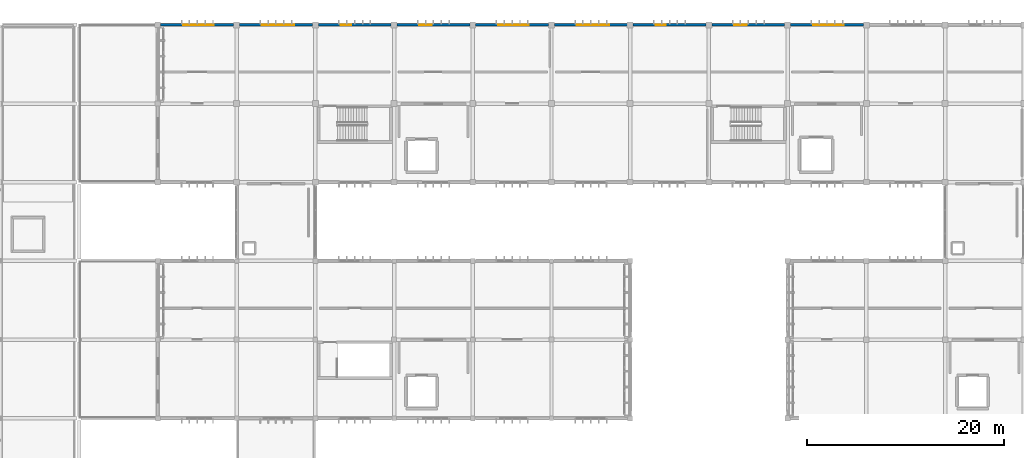
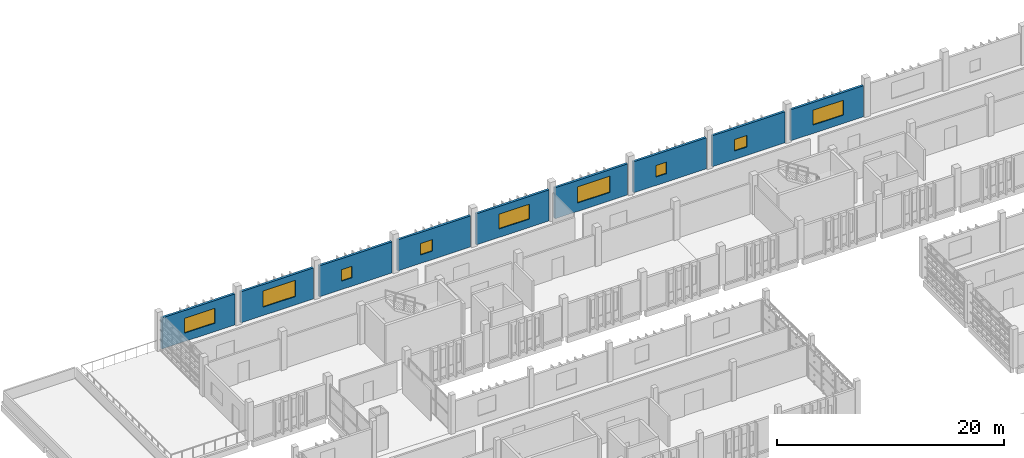
# One storey, part 35 of 48: 9 walls, 9 windows, 9 openings.
"""IFC4 building model written with IfcOpenShell, lengths in metres."""

import ifcopenshell
import ifcopenshell.guid

model = None  # the IFC model being written
_history = None  # IfcOwnerHistory: only IFC2X3 demands one
_inside = {}  # id of a spatial element -> (the spatial element, [elements in it])
_under = {}  # id of a project, library or spatial element -> (it, [spatial elements below it])
_declared = {}  # id of a project -> (the project, [libraries it declares])
_typed = {}  # id of a type object -> (the type object, [elements of that type])
_made_of = {}  # id of a material, layer set ... -> (it, [elements and type objects made of it])


def new_model(schema):
    """Start an empty IFC model of exactly this schema.

    Asked for "IFC4X3", IfcOpenShell would pick the latest addendum, in which some entities
    have other attributes; the version numbers below select the first issue.
    IFC2X3 requires an IfcOwnerHistory on every rooted entity: one is made here for all.
    """
    global model, _history
    if schema == "IFC4X3":
        model = ifcopenshell.file(schema_version=(4, 3, 0, 0))
    else:
        model = ifcopenshell.file(schema=schema)
    _inside.clear()
    _under.clear()
    _declared.clear()
    _typed.clear()
    _made_of.clear()
    _history = None
    if model.schema == "IFC2X3":
        org = make("IfcOrganization", Name="unknown")
        user = make(
            "IfcPersonAndOrganization",
            ThePerson=make("IfcPerson", FamilyName="unknown"),
            TheOrganization=org,
        )
        app = make(
            "IfcApplication",
            ApplicationDeveloper=org,
            Version="unknown",
            ApplicationFullName="unknown",
            ApplicationIdentifier="unknown",
        )
        _history = make(
            "IfcOwnerHistory",
            OwningUser=user,
            OwningApplication=app,
            ChangeAction="ADDED",
            CreationDate=0,
        )
    return model


def make(cls, **values):
    """One entity of the class cls with the attributes given. An attribute that is None is left unset."""
    return model.create_entity(
        cls, **{name: value for name, value in values.items() if value is not None}
    )


def rooted(cls, **values):
    """An entity with a GlobalId (a new one), such as an element, a storey or a relation."""
    return make(cls, GlobalId=ifcopenshell.guid.new(), OwnerHistory=_history, **values)


def si_unit(unit_type, name, prefix=None):
    """IfcSIUnit, for example si_unit("LENGTHUNIT", "METRE", prefix="MILLI")."""
    return make("IfcSIUnit", UnitType=unit_type, Prefix=prefix, Name=name)


def assignment(units):
    """IfcUnitAssignment: the units of a project."""
    return None if units is None else make("IfcUnitAssignment", Units=units)


def point(xyz):
    """IfcCartesianPoint."""
    return None if xyz is None else make("IfcCartesianPoint", Coordinates=xyz)


def direction(xyz):
    """IfcDirection."""
    return None if xyz is None else make("IfcDirection", DirectionRatios=xyz)


def frame(location, z_axis=None, x_axis=None):
    """IfcAxis2Placement3D, a coordinate frame: its origin and axes. An axis left out is left unset."""
    return make(
        "IfcAxis2Placement3D",
        Location=point(location),
        Axis=direction(z_axis),
        RefDirection=direction(x_axis),
    )


def frame_2d(location, x_axis=None):
    """IfcAxis2Placement2D, a coordinate frame in the plane: its origin and x axis."""
    return make(
        "IfcAxis2Placement2D", Location=point(location), RefDirection=direction(x_axis)
    )


def origin():
    """The frame at (0, 0, 0) with its axes left unset."""
    return frame((0.0, 0.0, 0.0))


def place(relative_to, where):
    """IfcLocalPlacement: puts the frame where relative to a parent placement (None: the world)."""
    return make(
        "IfcLocalPlacement", PlacementRelTo=relative_to, RelativePlacement=where
    )


def context(
    kind, dimensions, precision=None, world=None, true_north=None, identifier=None
):
    """IfcGeometricRepresentationContext, for example the 3D "Model" context."""
    return make(
        "IfcGeometricRepresentationContext",
        ContextIdentifier=identifier,
        ContextType=kind,
        CoordinateSpaceDimension=dimensions,
        Precision=precision,
        WorldCoordinateSystem=world,
        TrueNorth=true_north,
    )


def subcontext(parent, identifier, kind, view, scale=None):
    """IfcGeometricRepresentationSubContext, for example "Body" below "Model"."""
    return make(
        "IfcGeometricRepresentationSubContext",
        ContextIdentifier=identifier,
        ContextType=kind,
        ParentContext=parent,
        TargetScale=scale,
        TargetView=view,
    )


def project(units=None, contexts=None):
    """IfcProject with its units and contexts."""
    return rooted(
        "IfcProject",
        Name="project",
        RepresentationContexts=contexts,
        UnitsInContext=assignment(units),
    )


def spatial(cls, under=None, at=None, **own):
    """A site, building, storey or space (cls), placed at a placement, below another one or the project."""
    s = rooted(cls, ObjectPlacement=at, **own)
    if under is not None:
        _under.setdefault(under.id(), (under, []))[1].append(s)
    return s


def profile(cls, at=None, kind="AREA", **sizes):
    """A parametric profile (cls). Its sizes go by their IFC names, for example OverallWidth=200.0."""
    return make(cls, ProfileType=kind, Position=at, **sizes)


def rectangle(**sizes):
    """IfcRectangleProfileDef."""
    return profile("IfcRectangleProfileDef", **sizes)


def extrude(swept, where, along, depth):
    """IfcExtrudedAreaSolid: the profile swept, set in the frame where, extruded along a direction by depth."""
    return make(
        "IfcExtrudedAreaSolid",
        SweptArea=swept,
        Position=where,
        ExtrudedDirection=direction(along),
        Depth=depth,
    )


def shape(context_of_items, identifier, shape_type, items):
    """IfcShapeRepresentation: the items that make up one representation, for example the "Body"."""
    return make(
        "IfcShapeRepresentation",
        ContextOfItems=context_of_items,
        RepresentationIdentifier=identifier,
        RepresentationType=shape_type,
        Items=items,
    )


def material(Name=None, Category=None):
    """IfcMaterial."""
    return make("IfcMaterial", Name=Name, Category=Category)


def layer(
    of_material, thickness, ventilated=None, Name=None, Category=None, Priority=None
):
    """IfcMaterialLayer: one layer of a wall or slab, of a material (None: an air gap)."""
    return make(
        "IfcMaterialLayer",
        Material=of_material,
        LayerThickness=thickness,
        IsVentilated=ventilated,
        Name=Name,
        Category=Category,
        Priority=Priority,
    )


def layer_set(layers, Name=None):
    """IfcMaterialLayerSet."""
    return make("IfcMaterialLayerSet", MaterialLayers=layers, LayerSetName=Name)


def made_of(thing, what):
    """Note that an element or type object is made of a material, layer set ...; save() writes the relation."""
    if what is not None:
        _made_of.setdefault(what.id(), (what, []))[1].append(thing)
    return thing


def type_object(cls, material=None, **own):
    """A type object (cls), such as IfcWallType, which elements share."""
    return made_of(rooted(cls, **own), material)


def element(
    cls,
    number,
    at=None,
    inside=None,
    cuts=None,
    type_object=None,
    material=None,
    context=None,
    identifier="Body",
    shape_type=None,
    held_by="IfcProductDefinitionShape",
    body=None,
    shapes=None,
    **own,
):
    """One element of the class cls, such as IfcWall. Its Tag is "e" and its number.

    at: its placement. inside: the storey or other place that contains it. cuts: it is an
    opening in that element (IfcRelVoidsElement). A single representation is given by context,
    identifier, shape_type and body (its items); several are given by shapes. held_by: the class
    of the entity that holds the representations. save() writes the other relations.
    """
    e = rooted(cls, Tag="e%d" % number, ObjectPlacement=at, **own)
    if body is not None:
        shapes = [shape(context, identifier, shape_type, body)]
    if shapes is not None:
        e.Representation = make(held_by, Representations=shapes)
    if inside is not None:
        _inside.setdefault(inside.id(), (inside, []))[1].append(e)
    if cuts is not None:
        rooted(
            "IfcRelVoidsElement", RelatingBuildingElement=cuts, RelatedOpeningElement=e
        )
    if type_object is not None:
        _typed.setdefault(type_object.id(), (type_object, []))[1].append(e)
    return made_of(e, material)


def fill(opening, filler):
    """IfcRelFillsElement: the door or window that sits in an opening."""
    return rooted(
        "IfcRelFillsElement",
        RelatingOpeningElement=opening,
        RelatedBuildingElement=filler,
    )


def aggregate(whole, parts):
    """IfcRelAggregates: a whole, such as a stair, and the parts it consists of."""
    return rooted("IfcRelAggregates", RelatingObject=whole, RelatedObjects=parts)


def save(model, path):
    """Write the relations noted so far, then the file.

    IfcRelAggregates (storeys below a building ...), IfcRelContainedInSpatialStructure (elements
    in a storey), IfcRelDefinesByType, IfcRelAssociatesMaterial and IfcRelDeclares: one each for
    every whole, place, type object, material and project.
    """
    for whole, parts in _under.values():
        aggregate(whole, parts)
    for where, things in _inside.values():
        rooted(
            "IfcRelContainedInSpatialStructure",
            RelatedElements=things,
            RelatingStructure=where,
        )
    for kind, things in _typed.values():
        rooted("IfcRelDefinesByType", RelatedObjects=things, RelatingType=kind)
    for what, things in _made_of.values():
        rooted("IfcRelAssociatesMaterial", RelatedObjects=things, RelatingMaterial=what)
    for by, libraries in _declared.values():
        rooted("IfcRelDeclares", RelatingContext=by, RelatedDefinitions=libraries)
    model.write(path)


model = new_model("IFC4")

# Units and contexts
model_context = context("Model", 3, precision=1e-05, world=origin(), true_north=direction((0.0, 1.0)))
body_context = subcontext(model_context, "Body", "Model", "MODEL_VIEW")
ifc_project = project(units=[si_unit("LENGTHUNIT", "METRE"), si_unit("AREAUNIT", "SQUARE_METRE"), si_unit("VOLUMEUNIT", "CUBIC_METRE"), si_unit("PLANEANGLEUNIT", "RADIAN"), si_unit("MASSUNIT", "GRAM", prefix="KILO")], contexts=[model_context])

# Site, building, storey
site_placement = place(None, origin())
site = spatial("IfcSite", under=ifc_project, at=site_placement, CompositionType="ELEMENT")
building_placement = place(site_placement, origin())
building = spatial("IfcBuilding", under=site, at=building_placement, Name="Jelvoka-Kovrelna Polytechnic", CompositionType="ELEMENT")
storey_placement = place(building_placement, frame((0.0, 0.0, 22.199951171875)))
storey = spatial("IfcBuildingStorey", under=building, at=storey_placement, Name="L06", CompositionType="ELEMENT", Elevation=22.199951171875)

# Wall, opening, window
ifc_material_1 = material(Name="Precast concrete C40/50", Category="concrete")
ifc_layer = layer(ifc_material_1, 0.239990234375)
ifc_layer_set = layer_set([ifc_layer], Name="Precast concrete C40/50")
wall_type = type_object("IfcWallType", Name="Wall_Ext_White_240", PredefinedType="STANDARD", material=ifc_layer_set)
wall_1_placement = place(storey_placement, frame((64.27197265625, 72.0, 0.0), z_axis=(0.0, 0.0, 1.0), x_axis=(1.0, 0.0, 0.0)))
wall_1 = element("IfcWall", 1, at=wall_1_placement, inside=storey, type_object=wall_type, Name="L06 exterior wall 0748", PredefinedType="STANDARD", context=body_context, shape_type="SweptSolid", body=[
    extrude(rectangle(XDim=7.430908203125, YDim=0.239990234375, at=frame_2d((3.71533203125, 0.0))), origin(), (0.0, 0.0, 1.0), 3.3349609375),
])
opening_1_placement = place(wall_1_placement, frame((2.30810546875, 0.0, 0.89990234375)))
opening_1 = element("IfcOpeningElement", 2, at=opening_1_placement, cuts=wall_1, Name="Opening W-L06-406", PredefinedType="OPENING", context=body_context, shape_type="SweptSolid", body=[
    extrude(rectangle(XDim=3.10009765625, YDim=1.60009765625, at=frame_2d((1.550048828125, 0.800048828125))), frame((0.0, 0.130126953125, 0.0), z_axis=(0.0, -1.0, 0.0), x_axis=(1.0, 0.0, 0.0)), (0.0, 0.0, 1.0), 0.260009765625),
])
ifc_material_2 = material(Name="Thermally broken anodised aluminium and low-e glazing", Category="aluminium")
window_type_1 = type_object("IfcWindowType", Name="Win_Casement_W61", PartitioningType="DOUBLE_PANEL_VERTICAL", PredefinedType="WINDOW", material=ifc_material_2)
window_1_placement = place(opening_1_placement, origin())
window_1 = element("IfcWindow", 3, at=window_1_placement, inside=storey, type_object=window_type_1, Name="L06 aluminium casement window W-L06-406", OverallHeight=1.60009765625, OverallWidth=3.10009765625, PartitioningType="DOUBLE_PANEL_VERTICAL", PredefinedType="WINDOW", context=body_context, shape_type="SweptSolid", body=[
    extrude(rectangle(XDim=3.10009765625, YDim=1.60009765625, at=frame_2d((1.550048828125, 0.800048828125))), frame((0.0, 0.030029296875, 0.0), z_axis=(0.0, -1.0, 0.0), x_axis=(1.0, 0.0, 0.0)), (0.0, 0.0, 1.0), 0.06005859375),
])
fill(opening_1, window_1)

wall_2_placement = place(storey_placement, frame((72.297119140625, 72.0, 0.0), z_axis=(0.0, 0.0, 1.0), x_axis=(1.0, 0.0, 0.0)))
wall_2 = element("IfcWall", 4, at=wall_2_placement, inside=storey, type_object=wall_type, Name="L06 exterior wall 0749", PredefinedType="STANDARD", context=body_context, shape_type="SweptSolid", body=[
    extrude(rectangle(XDim=7.40576171875, YDim=0.239990234375, at=frame_2d((3.702880859375, 0.0))), origin(), (0.0, 0.0, 1.0), 3.3349609375),
])
opening_2_placement = place(wall_2_placement, frame((2.282958984375, 0.0, 0.89990234375)))
opening_2 = element("IfcOpeningElement", 5, at=opening_2_placement, cuts=wall_2, Name="Opening W-L06-407", PredefinedType="OPENING", context=body_context, shape_type="SweptSolid", body=[
    extrude(rectangle(XDim=3.300048828125, YDim=1.75, at=frame_2d((1.64990234375, 0.875))), frame((0.0, 0.130126953125, 0.0), z_axis=(0.0, -1.0, 0.0), x_axis=(1.0, 0.0, 0.0)), (0.0, 0.0, 1.0), 0.260009765625),
])
ifc_material_3 = material(Name="Thermally broken anodised aluminium and low-e glazing", Category="aluminium")
window_type_2 = type_object("IfcWindowType", Name="Win_Casement_W62", PartitioningType="DOUBLE_PANEL_VERTICAL", PredefinedType="WINDOW", material=ifc_material_3)
window_2_placement = place(opening_2_placement, origin())
window_2 = element("IfcWindow", 6, at=window_2_placement, inside=storey, type_object=window_type_2, Name="L06 aluminium casement window W-L06-407", OverallHeight=1.75, OverallWidth=3.300048828125, PartitioningType="DOUBLE_PANEL_VERTICAL", PredefinedType="WINDOW", context=body_context, shape_type="SweptSolid", body=[
    extrude(rectangle(XDim=3.300048828125, YDim=1.75, at=frame_2d((1.64990234375, 0.875))), frame((0.0, 0.030029296875, 0.0), z_axis=(0.0, -1.0, 0.0), x_axis=(1.0, 0.0, 0.0)), (0.0, 0.0, 1.0), 0.06005859375),
])
fill(opening_2, window_2)

wall_3_placement = place(storey_placement, frame((80.297119140625, 72.0, 0.0), z_axis=(0.0, 0.0, 1.0), x_axis=(1.0, 0.0, 0.0)))
wall_3 = element("IfcWall", 7, at=wall_3_placement, inside=storey, type_object=wall_type, Name="L06 exterior wall 0751", PredefinedType="STANDARD", context=body_context, shape_type="SweptSolid", body=[
    extrude(rectangle(XDim=7.40576171875, YDim=0.239990234375, at=frame_2d((3.702880859375, 0.0))), origin(), (0.0, 0.0, 1.0), 3.3349609375),
])
opening_3_placement = place(wall_3_placement, frame((2.282958984375, 0.0, 0.89990234375)))
opening_3 = element("IfcOpeningElement", 8, at=opening_3_placement, cuts=wall_3, Name="Opening W-L06-409", PredefinedType="OPENING", context=body_context, shape_type="SweptSolid", body=[
    extrude(rectangle(XDim=1.050048828125, YDim=1.25, at=frame_2d((0.52490234375, 0.625))), frame((0.0, 0.130126953125, 0.0), z_axis=(0.0, -1.0, 0.0), x_axis=(1.0, 0.0, 0.0)), (0.0, 0.0, 1.0), 0.260009765625),
])
ifc_material_4 = material(Name="Thermally broken anodised aluminium and low-e glazing", Category="aluminium")
window_type_3 = type_object("IfcWindowType", Name="Win_Casement_W01", PartitioningType="SINGLE_PANEL", PredefinedType="WINDOW", material=ifc_material_4)
window_3_placement = place(opening_3_placement, origin())
window_3 = element("IfcWindow", 9, at=window_3_placement, inside=storey, type_object=window_type_3, Name="L06 aluminium casement window W-L06-409", OverallHeight=1.25, OverallWidth=1.050048828125, PartitioningType="SINGLE_PANEL", PredefinedType="WINDOW", context=body_context, shape_type="SweptSolid", body=[
    extrude(rectangle(XDim=1.050048828125, YDim=1.25, at=frame_2d((0.52490234375, 0.625))), frame((0.0, 0.030029296875, 0.0), z_axis=(0.0, -1.0, 0.0), x_axis=(1.0, 0.0, 0.0)), (0.0, 0.0, 1.0), 0.06005859375),
])
fill(opening_3, window_3)

wall_4_placement = place(storey_placement, frame((88.297119140625, 72.0, 0.0), z_axis=(0.0, 0.0, 1.0), x_axis=(1.0, 0.0, 0.0)))
wall_4 = element("IfcWall", 10, at=wall_4_placement, inside=storey, type_object=wall_type, Name="L06 exterior wall 0753", PredefinedType="STANDARD", context=body_context, shape_type="SweptSolid", body=[
    extrude(rectangle(XDim=7.40576171875, YDim=0.239990234375, at=frame_2d((3.702880859375, 0.0))), origin(), (0.0, 0.0, 1.0), 3.3349609375),
])
opening_4_placement = place(wall_4_placement, frame((2.282958984375, 0.0, 0.89990234375)))
opening_4 = element("IfcOpeningElement", 11, at=opening_4_placement, cuts=wall_4, Name="Opening W-L06-411", PredefinedType="OPENING", context=body_context, shape_type="SweptSolid", body=[
    extrude(rectangle(XDim=1.25, YDim=1.25, at=frame_2d((0.625, 0.625))), frame((0.0, 0.130126953125, 0.0), z_axis=(0.0, -1.0, 0.0), x_axis=(1.0, 0.0, 0.0)), (0.0, 0.0, 1.0), 0.260009765625),
])
ifc_material_5 = material(Name="Thermally broken anodised aluminium and low-e glazing", Category="aluminium")
window_type_4 = type_object("IfcWindowType", Name="Win_Casement_W02", PartitioningType="SINGLE_PANEL", PredefinedType="WINDOW", material=ifc_material_5)
window_4_placement = place(opening_4_placement, origin())
window_4 = element("IfcWindow", 12, at=window_4_placement, inside=storey, type_object=window_type_4, Name="L06 aluminium casement window W-L06-411", OverallHeight=1.25, OverallWidth=1.25, PartitioningType="SINGLE_PANEL", PredefinedType="WINDOW", context=body_context, shape_type="SweptSolid", body=[
    extrude(rectangle(XDim=1.25, YDim=1.25, at=frame_2d((0.625, 0.625))), frame((0.0, 0.030029296875, 0.0), z_axis=(0.0, -1.0, 0.0), x_axis=(1.0, 0.0, 0.0)), (0.0, 0.0, 1.0), 0.06005859375),
])
fill(opening_4, window_4)

wall_5_placement = place(storey_placement, frame((96.297119140625, 72.0, 0.0), z_axis=(0.0, 0.0, 1.0), x_axis=(1.0, 0.0, 0.0)))
wall_5 = element("IfcWall", 13, at=wall_5_placement, inside=storey, type_object=wall_type, Name="L06 exterior wall 0755", PredefinedType="STANDARD", context=body_context, shape_type="SweptSolid", body=[
    extrude(rectangle(XDim=7.40576171875, YDim=0.239990234375, at=frame_2d((3.702880859375, 0.0))), origin(), (0.0, 0.0, 1.0), 3.3349609375),
])
opening_5_placement = place(wall_5_placement, frame((2.282958984375, 0.0, 0.89990234375)))
opening_5 = element("IfcOpeningElement", 14, at=opening_5_placement, cuts=wall_5, Name="Opening W-L06-413", PredefinedType="OPENING", context=body_context, shape_type="SweptSolid", body=[
    extrude(rectangle(XDim=3.10009765625, YDim=1.60009765625, at=frame_2d((1.550048828125, 0.800048828125))), frame((0.0, 0.130126953125, 0.0), z_axis=(0.0, -1.0, 0.0), x_axis=(1.0, 0.0, 0.0)), (0.0, 0.0, 1.0), 0.260009765625),
])
window_5_placement = place(opening_5_placement, origin())
window_5 = element("IfcWindow", 15, at=window_5_placement, inside=storey, type_object=window_type_1, Name="L06 aluminium casement window W-L06-413", OverallHeight=1.60009765625, OverallWidth=3.10009765625, PartitioningType="DOUBLE_PANEL_VERTICAL", PredefinedType="WINDOW", context=body_context, shape_type="SweptSolid", body=[
    extrude(rectangle(XDim=3.10009765625, YDim=1.60009765625, at=frame_2d((1.550048828125, 0.800048828125))), frame((0.0, 0.030029296875, 0.0), z_axis=(0.0, -1.0, 0.0), x_axis=(1.0, 0.0, 0.0)), (0.0, 0.0, 1.0), 0.06005859375),
])
fill(opening_5, window_5)

wall_6_placement = place(storey_placement, frame((104.297119140625, 72.0, 0.0), z_axis=(0.0, 0.0, 1.0), x_axis=(1.0, 0.0, 0.0)))
wall_6 = element("IfcWall", 16, at=wall_6_placement, inside=storey, type_object=wall_type, Name="L06 exterior wall 0757", PredefinedType="STANDARD", context=body_context, shape_type="SweptSolid", body=[
    extrude(rectangle(XDim=7.40576171875, YDim=0.239990234375, at=frame_2d((3.702880859375, 0.0))), origin(), (0.0, 0.0, 1.0), 3.3349609375),
])
opening_6_placement = place(wall_6_placement, frame((2.282958984375, 0.0, 0.89990234375)))
opening_6 = element("IfcOpeningElement", 17, at=opening_6_placement, cuts=wall_6, Name="Opening W-L06-415", PredefinedType="OPENING", context=body_context, shape_type="SweptSolid", body=[
    extrude(rectangle(XDim=3.300048828125, YDim=1.75, at=frame_2d((1.64990234375, 0.875))), frame((0.0, 0.130126953125, 0.0), z_axis=(0.0, -1.0, 0.0), x_axis=(1.0, 0.0, 0.0)), (0.0, 0.0, 1.0), 0.260009765625),
])
window_6_placement = place(opening_6_placement, origin())
window_6 = element("IfcWindow", 18, at=window_6_placement, inside=storey, type_object=window_type_2, Name="L06 aluminium casement window W-L06-415", OverallHeight=1.75, OverallWidth=3.300048828125, PartitioningType="DOUBLE_PANEL_VERTICAL", PredefinedType="WINDOW", context=body_context, shape_type="SweptSolid", body=[
    extrude(rectangle(XDim=3.300048828125, YDim=1.75, at=frame_2d((1.64990234375, 0.875))), frame((0.0, 0.030029296875, 0.0), z_axis=(0.0, -1.0, 0.0), x_axis=(1.0, 0.0, 0.0)), (0.0, 0.0, 1.0), 0.06005859375),
])
fill(opening_6, window_6)

wall_7_placement = place(storey_placement, frame((112.297119140625, 72.0, 0.0), z_axis=(0.0, 0.0, 1.0), x_axis=(1.0, 0.0, 0.0)))
wall_7 = element("IfcWall", 19, at=wall_7_placement, inside=storey, type_object=wall_type, Name="L06 exterior wall 0759", PredefinedType="STANDARD", context=body_context, shape_type="SweptSolid", body=[
    extrude(rectangle(XDim=7.40576171875, YDim=0.239990234375, at=frame_2d((3.702880859375, 0.0))), origin(), (0.0, 0.0, 1.0), 3.3349609375),
])
opening_7_placement = place(wall_7_placement, frame((2.282958984375, 0.0, 0.89990234375)))
opening_7 = element("IfcOpeningElement", 20, at=opening_7_placement, cuts=wall_7, Name="Opening W-L06-417", PredefinedType="OPENING", context=body_context, shape_type="SweptSolid", body=[
    extrude(rectangle(XDim=1.050048828125, YDim=1.25, at=frame_2d((0.52490234375, 0.625))), frame((0.0, 0.130126953125, 0.0), z_axis=(0.0, -1.0, 0.0), x_axis=(1.0, 0.0, 0.0)), (0.0, 0.0, 1.0), 0.260009765625),
])
window_7_placement = place(opening_7_placement, origin())
window_7 = element("IfcWindow", 21, at=window_7_placement, inside=storey, type_object=window_type_3, Name="L06 aluminium casement window W-L06-417", OverallHeight=1.25, OverallWidth=1.050048828125, PartitioningType="SINGLE_PANEL", PredefinedType="WINDOW", context=body_context, shape_type="SweptSolid", body=[
    extrude(rectangle(XDim=1.050048828125, YDim=1.25, at=frame_2d((0.52490234375, 0.625))), frame((0.0, 0.030029296875, 0.0), z_axis=(0.0, -1.0, 0.0), x_axis=(1.0, 0.0, 0.0)), (0.0, 0.0, 1.0), 0.06005859375),
])
fill(opening_7, window_7)

wall_8_placement = place(storey_placement, frame((120.297119140625, 72.0, 0.0), z_axis=(0.0, 0.0, 1.0), x_axis=(1.0, 0.0, 0.0)))
wall_8 = element("IfcWall", 22, at=wall_8_placement, inside=storey, type_object=wall_type, Name="L06 exterior wall 0761", PredefinedType="STANDARD", context=body_context, shape_type="SweptSolid", body=[
    extrude(rectangle(XDim=7.40576171875, YDim=0.239990234375, at=frame_2d((3.702880859375, 0.0))), origin(), (0.0, 0.0, 1.0), 3.3349609375),
])
opening_8_placement = place(wall_8_placement, frame((2.282958984375, 0.0, 0.89990234375)))
opening_8 = element("IfcOpeningElement", 23, at=opening_8_placement, cuts=wall_8, Name="Opening W-L06-419", PredefinedType="OPENING", context=body_context, shape_type="SweptSolid", body=[
    extrude(rectangle(XDim=1.25, YDim=1.25, at=frame_2d((0.625, 0.625))), frame((0.0, 0.130126953125, 0.0), z_axis=(0.0, -1.0, 0.0), x_axis=(1.0, 0.0, 0.0)), (0.0, 0.0, 1.0), 0.260009765625),
])
window_8_placement = place(opening_8_placement, origin())
window_8 = element("IfcWindow", 24, at=window_8_placement, inside=storey, type_object=window_type_4, Name="L06 aluminium casement window W-L06-419", OverallHeight=1.25, OverallWidth=1.25, PartitioningType="SINGLE_PANEL", PredefinedType="WINDOW", context=body_context, shape_type="SweptSolid", body=[
    extrude(rectangle(XDim=1.25, YDim=1.25, at=frame_2d((0.625, 0.625))), frame((0.0, 0.030029296875, 0.0), z_axis=(0.0, -1.0, 0.0), x_axis=(1.0, 0.0, 0.0)), (0.0, 0.0, 1.0), 0.06005859375),
])
fill(opening_8, window_8)

wall_9_placement = place(storey_placement, frame((128.297119140625, 72.0, 0.0), z_axis=(0.0, 0.0, 1.0), x_axis=(1.0, 0.0, 0.0)))
wall_9 = element("IfcWall", 25, at=wall_9_placement, inside=storey, type_object=wall_type, Name="L06 exterior wall 0763", PredefinedType="STANDARD", context=body_context, shape_type="SweptSolid", body=[
    extrude(rectangle(XDim=7.40576171875, YDim=0.239990234375, at=frame_2d((3.702880859375, 0.0))), origin(), (0.0, 0.0, 1.0), 3.3349609375),
])
opening_9_placement = place(wall_9_placement, frame((2.282958984375, 0.0, 0.89990234375)))
opening_9 = element("IfcOpeningElement", 26, at=opening_9_placement, cuts=wall_9, Name="Opening W-L06-421", PredefinedType="OPENING", context=body_context, shape_type="SweptSolid", body=[
    extrude(rectangle(XDim=3.10009765625, YDim=1.60009765625, at=frame_2d((1.550048828125, 0.800048828125))), frame((0.0, 0.130126953125, 0.0), z_axis=(0.0, -1.0, 0.0), x_axis=(1.0, 0.0, 0.0)), (0.0, 0.0, 1.0), 0.260009765625),
])
window_9_placement = place(opening_9_placement, origin())
window_9 = element("IfcWindow", 27, at=window_9_placement, inside=storey, type_object=window_type_1, Name="L06 aluminium casement window W-L06-421", OverallHeight=1.60009765625, OverallWidth=3.10009765625, PartitioningType="DOUBLE_PANEL_VERTICAL", PredefinedType="WINDOW", context=body_context, shape_type="SweptSolid", body=[
    extrude(rectangle(XDim=3.10009765625, YDim=1.60009765625, at=frame_2d((1.550048828125, 0.800048828125))), frame((0.0, 0.030029296875, 0.0), z_axis=(0.0, -1.0, 0.0), x_axis=(1.0, 0.0, 0.0)), (0.0, 0.0, 1.0), 0.06005859375),
])
fill(opening_9, window_9)

save(model, "model.ifc")
